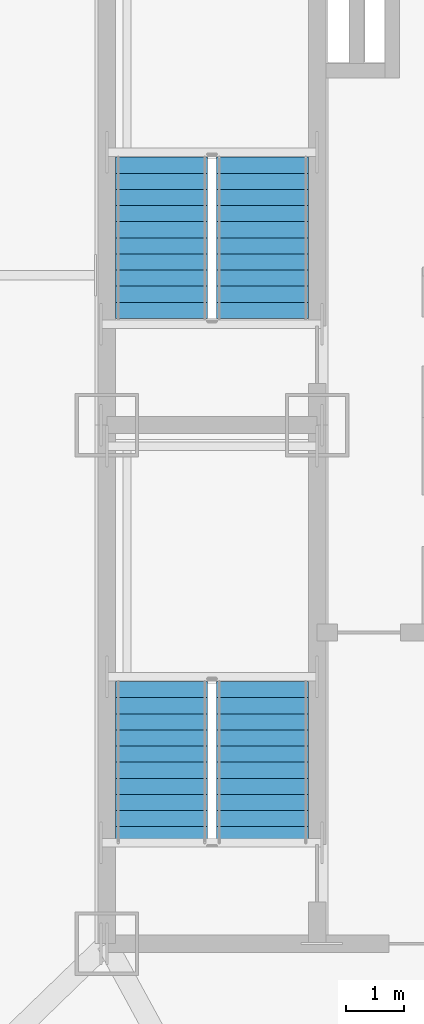
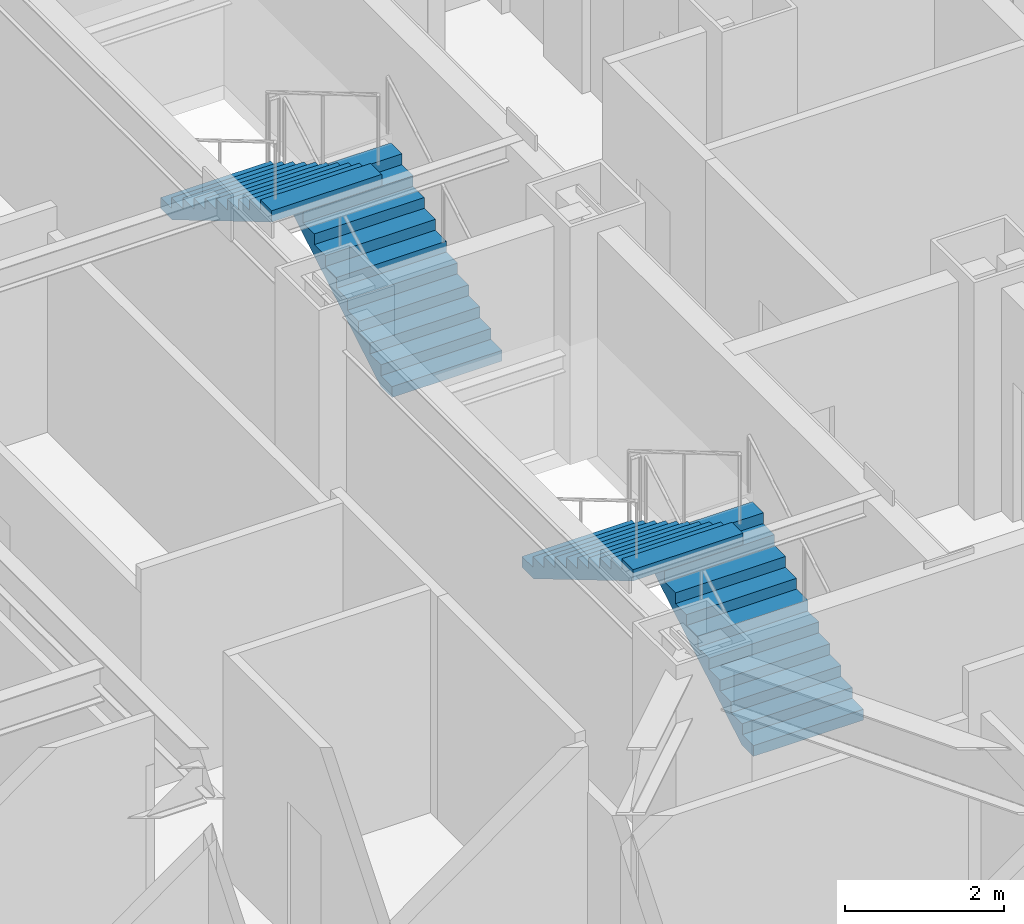
# One storey, part 11 of 12: 4 stair flights, 2 elements without a shape of their own.
"""IFC4 building model written with IfcOpenShell, lengths in metres."""

from ifc_helpers import new_model, si_unit, direction, frame, origin, place, context, subcontext, project, spatial, polyline, outline, extrude, material, type_object, element, aggregate, save


model = new_model("IFC4")

# Units and contexts
model_context = context("Model", 3, precision=1e-05, world=origin(), true_north=direction((0.0, 1.0)))
body_context = subcontext(model_context, "Body", "Model", "MODEL_VIEW")
ifc_project = project(units=[si_unit("LENGTHUNIT", "METRE"), si_unit("AREAUNIT", "SQUARE_METRE"), si_unit("VOLUMEUNIT", "CUBIC_METRE"), si_unit("PLANEANGLEUNIT", "RADIAN"), si_unit("MASSUNIT", "GRAM", prefix="KILO")], contexts=[model_context])

# Site, building, storey
site_placement = place(None, origin())
site = spatial("IfcSite", under=ifc_project, at=site_placement, CompositionType="ELEMENT")
building_placement = place(site_placement, origin())
building = spatial("IfcBuilding", under=site, at=building_placement, Name="Khamvora Tower", CompositionType="ELEMENT")
storey_placement = place(building_placement, frame((0.0, 0.0, 199.699951171875)))
storey = spatial("IfcBuildingStorey", under=building, at=storey_placement, Name="L51", CompositionType="ELEMENT", Elevation=199.699951171875)

# Stair, stair flights
ifc_material = material(Name="Concrete C40/50", Category="concrete")
stair_type_1 = type_object("IfcStairType", Name="STR-ST-01", PredefinedType="HALF_TURN_STAIR", material=ifc_material)
stair_1_placement = place(storey_placement, origin())
stair_1 = element("IfcStair", 1, at=stair_1_placement, inside=storey, type_object=stair_type_1, Name="L51 South Tower Exit Stair ST-01", PredefinedType="HALF_TURN_STAIR")
stair_flight_type_1 = type_object("IfcStairFlightType", Name="STF-ST-01", PredefinedType="STRAIGHT", material=ifc_material)
stair_flight_1_placement = place(storey_placement, frame((31.699951171875, 20.75, 0.0), z_axis=(0.0, 0.0, 1.0), x_axis=(0.0, 1.0, 0.0)))
stair_flight_1 = element("IfcStairFlight", 2, at=stair_flight_1_placement, type_object=stair_flight_type_1, Name="ST-01 flight 1", NumberOfRisers=11, NumberOfTreads=10, PredefinedType="STRAIGHT", RiserHeight=0.165909091, TreadLength=0.28, context=body_context, shape_type="SweptSolid", body=[
    extrude(outline(polyline([(0.0, 0.0), (0.0, 0.166015625), (0.280029296875, 0.166015625), (0.280029296875, 0.331787109375), (0.56005859375, 0.331787109375), (0.56005859375, 0.497802734375), (0.840087890625, 0.497802734375), (0.840087890625, 0.66357421875), (1.1201171875, 0.66357421875), (1.1201171875, 0.82958984375), (1.39990234375, 0.82958984375), (1.39990234375, 0.995361328125), (1.679931640625, 0.995361328125), (1.679931640625, 1.161376953125), (1.9599609375, 1.161376953125), (1.9599609375, 1.327392578125), (2.239990234375, 1.327392578125), (2.239990234375, 1.4931640625), (2.52001953125, 1.4931640625), (2.52001953125, 1.6591796875), (2.800048828125, 1.6591796875), (2.800048828125, 1.824951171875), (2.800048828125, 1.48486328125), (0.2939453125, 0.0), (0.0, 0.0)])), frame((0.0, 0.800048828125, 0.0), z_axis=(0.0, -1.0, 0.0), x_axis=(1.0, 0.0, 0.0)), (0.0, 0.0, 1.0), 1.60009765625),
])
stair_flight_2_placement = place(storey_placement, frame((29.949951171875, 23.550048828125, 1.824951171875), z_axis=(0.0, 0.0, 1.0), x_axis=(0.0, -1.0, 0.0)))
stair_flight_2 = element("IfcStairFlight", 3, at=stair_flight_2_placement, type_object=stair_flight_type_1, Name="ST-01 flight 2", NumberOfRisers=11, NumberOfTreads=10, PredefinedType="STRAIGHT", RiserHeight=0.165909091, TreadLength=0.28, context=body_context, shape_type="SweptSolid", body=[
    extrude(outline(polyline([(0.0, 0.0), (0.0, 0.166015625), (0.280029296875, 0.166015625), (0.280029296875, 0.331787109375), (0.56005859375, 0.331787109375), (0.56005859375, 0.497802734375), (0.840087890625, 0.497802734375), (0.840087890625, 0.66357421875), (1.1201171875, 0.66357421875), (1.1201171875, 0.82958984375), (1.39990234375, 0.82958984375), (1.39990234375, 0.995361328125), (1.679931640625, 0.995361328125), (1.679931640625, 1.161376953125), (1.9599609375, 1.161376953125), (1.9599609375, 1.327392578125), (2.239990234375, 1.327392578125), (2.239990234375, 1.4931640625), (2.52001953125, 1.4931640625), (2.52001953125, 1.6591796875), (2.800048828125, 1.6591796875), (2.800048828125, 1.824951171875), (2.800048828125, 1.48486328125), (0.2939453125, 0.0), (0.0, 0.0)])), frame((0.0, 0.800048828125, 0.0), z_axis=(0.0, -1.0, 0.0), x_axis=(1.0, 0.0, 0.0)), (0.0, 0.0, 1.0), 1.60009765625),
])
aggregate(stair_1, [stair_flight_1, stair_flight_2])

stair_type_2 = type_object("IfcStairType", Name="STR-ST-02", PredefinedType="HALF_TURN_STAIR", material=ifc_material)
stair_2_placement = place(storey_placement, origin())
stair_2 = element("IfcStair", 4, at=stair_2_placement, inside=storey, type_object=stair_type_2, Name="L51 North Tower Exit Stair ST-02", PredefinedType="HALF_TURN_STAIR")
stair_flight_type_2 = type_object("IfcStairFlightType", Name="STF-ST-02", PredefinedType="STRAIGHT", material=ifc_material)
stair_flight_3_placement = place(storey_placement, frame((31.699951171875, 29.85009765625, 0.0), z_axis=(0.0, 0.0, 1.0), x_axis=(0.0, 1.0, 0.0)))
stair_flight_3 = element("IfcStairFlight", 5, at=stair_flight_3_placement, type_object=stair_flight_type_2, Name="ST-02 flight 1", NumberOfRisers=11, NumberOfTreads=10, PredefinedType="STRAIGHT", RiserHeight=0.165909091, TreadLength=0.28, context=body_context, shape_type="SweptSolid", body=[
    extrude(outline(polyline([(0.0, 0.0), (0.0, 0.166015625), (0.280029296875, 0.166015625), (0.280029296875, 0.331787109375), (0.56005859375, 0.331787109375), (0.56005859375, 0.497802734375), (0.840087890625, 0.497802734375), (0.840087890625, 0.66357421875), (1.1201171875, 0.66357421875), (1.1201171875, 0.82958984375), (1.39990234375, 0.82958984375), (1.39990234375, 0.995361328125), (1.679931640625, 0.995361328125), (1.679931640625, 1.161376953125), (1.9599609375, 1.161376953125), (1.9599609375, 1.327392578125), (2.239990234375, 1.327392578125), (2.239990234375, 1.4931640625), (2.52001953125, 1.4931640625), (2.52001953125, 1.6591796875), (2.800048828125, 1.6591796875), (2.800048828125, 1.824951171875), (2.800048828125, 1.48486328125), (0.2939453125, 0.0), (0.0, 0.0)])), frame((0.0, 0.800048828125, 0.0), z_axis=(0.0, -1.0, 0.0), x_axis=(1.0, 0.0, 0.0)), (0.0, 0.0, 1.0), 1.60009765625),
])
stair_flight_4_placement = place(storey_placement, frame((29.949951171875, 32.64990234375, 1.824951171875), z_axis=(0.0, 0.0, 1.0), x_axis=(0.0, -1.0, 0.0)))
stair_flight_4 = element("IfcStairFlight", 6, at=stair_flight_4_placement, type_object=stair_flight_type_2, Name="ST-02 flight 2", NumberOfRisers=11, NumberOfTreads=10, PredefinedType="STRAIGHT", RiserHeight=0.165909091, TreadLength=0.28, context=body_context, shape_type="SweptSolid", body=[
    extrude(outline(polyline([(0.0, 0.0), (0.0, 0.166015625), (0.280029296875, 0.166015625), (0.280029296875, 0.331787109375), (0.56005859375, 0.331787109375), (0.56005859375, 0.497802734375), (0.840087890625, 0.497802734375), (0.840087890625, 0.66357421875), (1.1201171875, 0.66357421875), (1.1201171875, 0.82958984375), (1.39990234375, 0.82958984375), (1.39990234375, 0.995361328125), (1.679931640625, 0.995361328125), (1.679931640625, 1.161376953125), (1.9599609375, 1.161376953125), (1.9599609375, 1.327392578125), (2.239990234375, 1.327392578125), (2.239990234375, 1.4931640625), (2.52001953125, 1.4931640625), (2.52001953125, 1.6591796875), (2.800048828125, 1.6591796875), (2.800048828125, 1.824951171875), (2.800048828125, 1.48486328125), (0.2939453125, 0.0), (0.0, 0.0)])), frame((0.0, 0.800048828125, 0.0), z_axis=(0.0, -1.0, 0.0), x_axis=(1.0, 0.0, 0.0)), (0.0, 0.0, 1.0), 1.60009765625),
])
aggregate(stair_2, [stair_flight_3, stair_flight_4])

save(model, "model.ifc")
